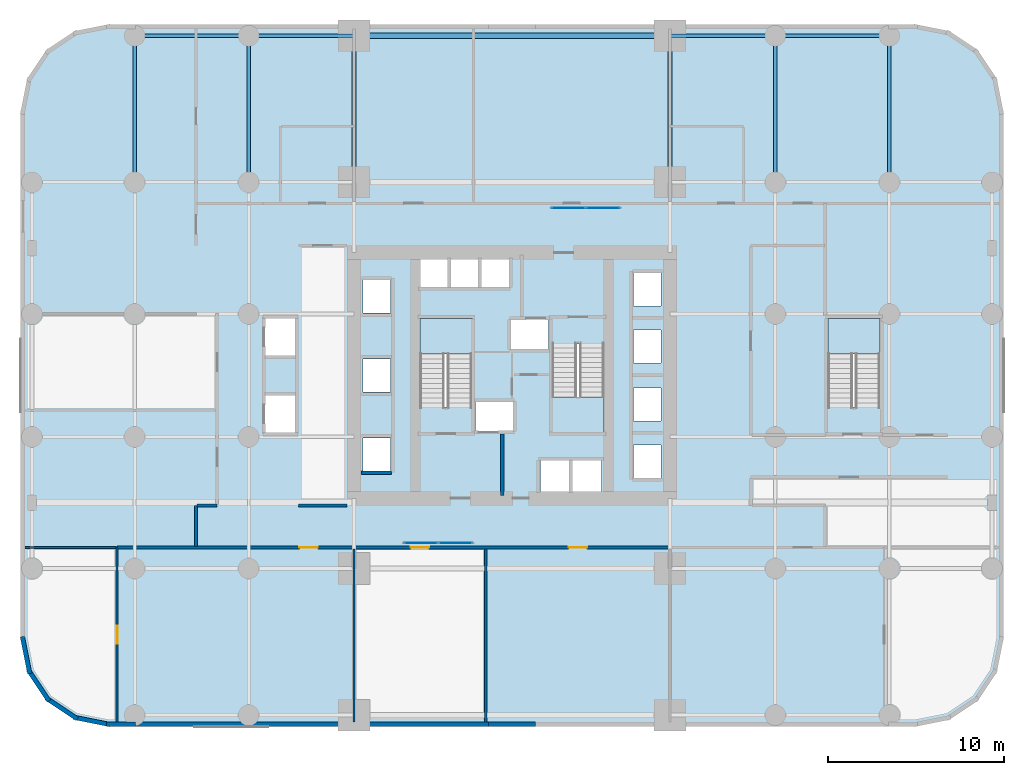
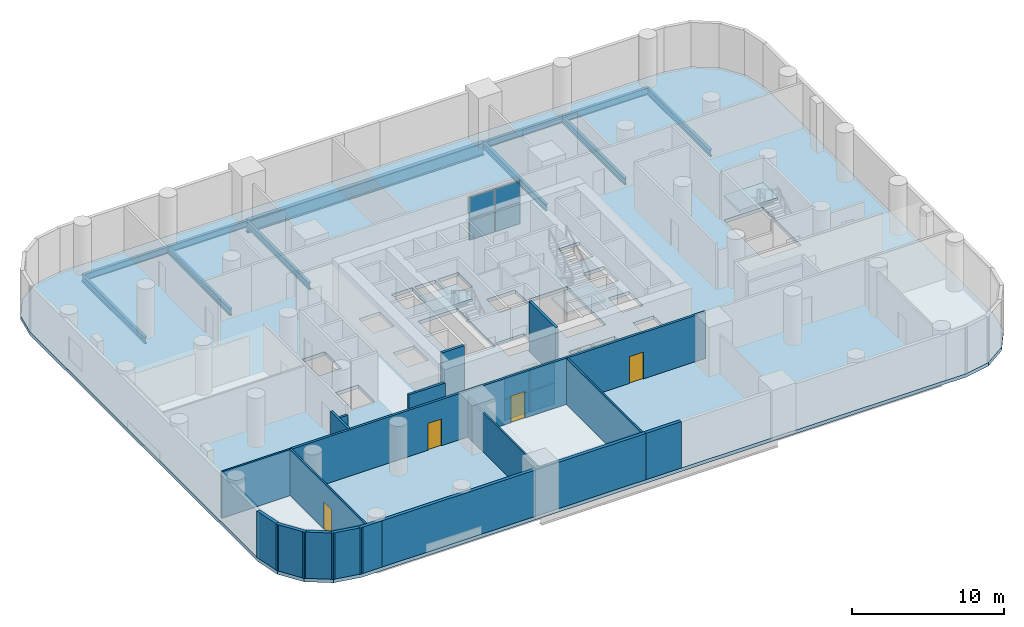
# One storey, part 6 of 12: 17 walls, 11 beams, 8 plates, 4 doors, 4 slabs, 4 openings, 5 elements without a shape of their own.
"""IFC4 building model written with IfcOpenShell, lengths in metres."""

from ifc_helpers import new_model, si_unit, direction, frame, frame_2d, origin, origin_2d, place, context, subcontext, project, spatial, polyline, rectangle, i_section, outline, extrude, material, layer, layer_set, material_profile, profile_set, type_object, element, fill, aggregate, save


model = new_model("IFC4")

# Units and contexts
model_context = context("Model", 3, precision=1e-05, world=origin(), true_north=direction((0.0, 1.0)))
body_context = subcontext(model_context, "Body", "Model", "MODEL_VIEW")
ifc_project = project(units=[si_unit("LENGTHUNIT", "METRE"), si_unit("AREAUNIT", "SQUARE_METRE"), si_unit("VOLUMEUNIT", "CUBIC_METRE"), si_unit("PLANEANGLEUNIT", "RADIAN"), si_unit("MASSUNIT", "GRAM", prefix="KILO")], contexts=[model_context])

# Site, building, storey
site_placement = place(None, origin())
site = spatial("IfcSite", under=ifc_project, at=site_placement, CompositionType="ELEMENT")
building_placement = place(site_placement, origin())
building = spatial("IfcBuilding", under=site, at=building_placement, Name="Veldorim Arch Residences", CompositionType="ELEMENT")
storey_placement = place(building_placement, frame((0.0, 0.0, 12.0)))
storey = spatial("IfcBuildingStorey", under=building, at=storey_placement, Name="L03", CompositionType="ELEMENT", Elevation=12.0)

# Beams
ifc_material_1 = material(Name="Steel S355", Category="steel")
ifc_material_profile_1 = material_profile(ifc_material_1, i_section(OverallWidth=0.2099609375, OverallDepth=0.53662109375, WebThickness=0.0107421875, FlangeThickness=0.017333984375, at=origin_2d()), Name="UB533x210x101")
ifc_profile_set_1 = profile_set([ifc_material_profile_1], Name="Steel S355")
beam_type_1 = type_object("IfcBeamType", Name="Structural Steel Beam UB533x210x101", PredefinedType="BEAM", material=ifc_profile_set_1)
for number, where, z_axis, x_axis, name in (
    (1, (10.5, 35.0, -0.54833984375), (0.0, 1.0, 0.0), (-1.0, 0.0, 0.0), "L03 north-south floor beam (X=10.5, 35.0-43.4)"),
    (2, (17.0, 35.0, -0.54833984375), (0.0, 1.0, 0.0), (-1.0, 0.0, 0.0), "L03 north-south floor beam (X=17.0, 35.0-43.4)"),
    (3, (23.0, 35.0, -0.54833984375), (0.0, 1.0, 0.0), (-1.0, 0.0, 0.0), "L03 north-south floor beam (X=23.0, 35.0-43.4)"),
    (4, (41.0, 35.0, -0.54833984375), (0.0, 1.0, 0.0), (-1.0, 0.0, 0.0), "L03 north-south floor beam (X=41.0, 35.0-43.4)"),
    (5, (47.0, 35.0, -0.54833984375), (0.0, 1.0, 0.0), (-1.0, 0.0, 0.0), "L03 north-south floor beam (X=47.0, 35.0-43.4)"),
    (6, (53.5, 35.0, -0.54833984375), (0.0, 1.0, 0.0), (-1.0, 0.0, 0.0), "L03 north-south floor beam (X=53.5, 35.0-43.4)"),
):
    element("IfcBeam", number, at=place(storey_placement, frame(where, z_axis=z_axis, x_axis=x_axis)), inside=storey, type_object=beam_type_1, Name=name, PredefinedType="BEAM", context=body_context, shape_type="SweptSolid", body=[
        extrude(i_section(OverallWidth=0.2099609375, OverallDepth=0.53662109375, WebThickness=0.0107421875, FlangeThickness=0.017333984375, at=origin_2d()), origin(), (0.0, 0.0, 1.0), 8.35009765625),
    ])
ifc_material_2 = material(Name="Steel S355", Category="steel")
ifc_material_profile_2 = material_profile(ifc_material_2, i_section(OverallWidth=0.2119140625, OverallDepth=0.54443359375, WebThickness=0.0126953125, FlangeThickness=0.021240234375, at=origin_2d()), Name="UB533x210x122")
ifc_profile_set_2 = profile_set([ifc_material_profile_2], Name="Steel S355")
beam_type_2 = type_object("IfcBeamType", Name="Structural Steel Beam UB533x210x122", PredefinedType="BEAM", material=ifc_profile_set_2)
beam_1_placement = place(storey_placement, frame((10.5, 43.35009765625, -0.55224609375), z_axis=(1.0, 0.0, 0.0), x_axis=(0.0, 1.0, 0.0)))
element("IfcBeam", 7, at=beam_1_placement, inside=storey, type_object=beam_type_2, Name="L03 east-west floor beam (10.5-17.0, Y=43.4)", PredefinedType="BEAM", context=body_context, shape_type="SweptSolid", body=[
    extrude(i_section(OverallWidth=0.2119140625, OverallDepth=0.54443359375, WebThickness=0.0126953125, FlangeThickness=0.021240234375, at=origin_2d()), origin(), (0.0, 0.0, 1.0), 6.5),
])
for number, where, z_axis, x_axis, name in (
    (8, (17.0, 43.35009765625, -0.55224609375), (1.0, 0.0, 0.0), (0.0, 1.0, 0.0), "L03 east-west floor beam (17.0-23.0, Y=43.4)"),
    (9, (41.0, 43.35009765625, -0.55224609375), (1.0, 0.0, 0.0), (0.0, 1.0, 0.0), "L03 east-west floor beam (41.0-47.0, Y=43.4)"),
):
    element("IfcBeam", number, at=place(storey_placement, frame(where, z_axis=z_axis, x_axis=x_axis)), inside=storey, type_object=beam_type_2, Name=name, PredefinedType="BEAM", context=body_context, shape_type="SweptSolid", body=[
        extrude(i_section(OverallWidth=0.2119140625, OverallDepth=0.54443359375, WebThickness=0.0126953125, FlangeThickness=0.021240234375, at=origin_2d()), origin(), (0.0, 0.0, 1.0), 6.0),
    ])
beam_2_placement = place(storey_placement, frame((47.0, 43.35009765625, -0.55224609375), z_axis=(1.0, 0.0, 0.0), x_axis=(0.0, 1.0, 0.0)))
element("IfcBeam", 10, at=beam_2_placement, inside=storey, type_object=beam_type_2, Name="L03 east-west floor beam (47.0-53.5, Y=43.4)", PredefinedType="BEAM", context=body_context, shape_type="SweptSolid", body=[
    extrude(i_section(OverallWidth=0.2119140625, OverallDepth=0.54443359375, WebThickness=0.0126953125, FlangeThickness=0.021240234375, at=origin_2d()), origin(), (0.0, 0.0, 1.0), 6.5),
])
ifc_material_3 = material(Name="Steel S460", Category="steel")
ifc_material_profile_3 = material_profile(ifc_material_3, i_section(OverallWidth=0.305419921875, OverallDepth=1.02587890625, WebThickness=0.02685546875, FlangeThickness=0.053955078125, at=origin_2d()), Name="UB1016x305x437")
ifc_profile_set_3 = profile_set([ifc_material_profile_3], Name="Steel S460")
beam_type_3 = type_object("IfcBeamType", Name="Structural Steel GIRDER UB1016x305x437", PredefinedType="USERDEFINED", material=ifc_profile_set_3)
beam_3_placement = place(storey_placement, frame((23.0, 43.35009765625, -0.79296875), z_axis=(1.0, 0.0, 0.0), x_axis=(0.0, 1.0, 0.0)))
element("IfcBeam", 11, at=beam_3_placement, inside=storey, type_object=beam_type_3, Name="L03 east-west floor beam (23.0-41.0, Y=43.4)", ObjectType="GIRDER", PredefinedType="USERDEFINED", context=body_context, shape_type="SweptSolid", body=[
    extrude(i_section(OverallWidth=0.305419921875, OverallDepth=1.02587890625, WebThickness=0.02685546875, FlangeThickness=0.053955078125, at=origin_2d()), origin(), (0.0, 0.0, 1.0), 18.0),
])

# Curtain wall, plates
ifc_material_4 = material(Name="Aluminium", Category="aluminium")
curtain_wall_type = type_object("IfcCurtainWallType", Name="Crown Faceted Fritted Laminated Curtain Wall", PredefinedType="NOTDEFINED", material=ifc_material_4)
curtain_wall_1_placement = place(storey_placement, origin())
curtain_wall_1 = element("IfcCurtainWall", 12, at=curtain_wall_1_placement, inside=storey, type_object=curtain_wall_type, Name="L03 S arch bridge clerestory curtain wall", PredefinedType="NOTDEFINED")
ifc_material_5 = material(Name="Laminated Low-E Glass", Category="glass")
ifc_layer_1 = layer(ifc_material_5, 0.030029296875, Name="Crown Faceted Fritted Laminated Curtain Wall Glazing Panel 30")
ifc_layer_set_1 = layer_set([ifc_layer_1], Name="Laminated Low-E Glass")
plate_type = type_object("IfcPlateType", Name="Crown Faceted Fritted Laminated Curtain Wall Glazing Panel 30", PredefinedType="CURTAIN_PANEL", material=ifc_layer_set_1)
plate_1_placement = place(storey_placement, frame((26.8173828125, 14.449951171875, 0.070068359375), z_axis=(0.0, 0.0, 1.0), x_axis=(1.0, 0.0, 0.0)))
plate_1 = element("IfcPlate", 13, at=plate_1_placement, type_object=plate_type, Name="CW-CRN panel 1.1", PredefinedType="CURTAIN_PANEL", context=body_context, shape_type="SweptSolid", body=[
    extrude(rectangle(XDim=1.89501953125, YDim=0.030029296875, at=origin_2d()), origin(), (0.0, 0.0, 1.0), 1.68505859375),
])
plate_2_placement = place(storey_placement, frame((26.8173828125, 14.449951171875, 1.824951171875), z_axis=(0.0, 0.0, 1.0), x_axis=(1.0, 0.0, 0.0)))
plate_2 = element("IfcPlate", 14, at=plate_2_placement, type_object=plate_type, Name="CW-CRN panel 1.2", PredefinedType="CURTAIN_PANEL", context=body_context, shape_type="SweptSolid", body=[
    extrude(rectangle(XDim=1.89501953125, YDim=0.030029296875, at=origin_2d()), origin(), (0.0, 0.0, 1.0), 1.68505859375),
])
plate_3_placement = place(storey_placement, frame((28.782470703125, 14.449951171875, 0.070068359375), z_axis=(0.0, 0.0, 1.0), x_axis=(1.0, 0.0, 0.0)))
plate_3 = element("IfcPlate", 15, at=plate_3_placement, type_object=plate_type, Name="CW-CRN panel 2.1", PredefinedType="CURTAIN_PANEL", context=body_context, shape_type="SweptSolid", body=[
    extrude(rectangle(XDim=1.89501953125, YDim=0.030029296875, at=origin_2d()), origin(), (0.0, 0.0, 1.0), 1.68505859375),
])
plate_4_placement = place(storey_placement, frame((28.782470703125, 14.449951171875, 1.824951171875), z_axis=(0.0, 0.0, 1.0), x_axis=(1.0, 0.0, 0.0)))
plate_4 = element("IfcPlate", 16, at=plate_4_placement, type_object=plate_type, Name="CW-CRN panel 2.2", PredefinedType="CURTAIN_PANEL", context=body_context, shape_type="SweptSolid", body=[
    extrude(rectangle(XDim=1.89501953125, YDim=0.030029296875, at=origin_2d()), origin(), (0.0, 0.0, 1.0), 1.68505859375),
])
aggregate(curtain_wall_1, [plate_1, plate_2, plate_3, plate_4])

curtain_wall_2_placement = place(storey_placement, origin())
curtain_wall_2 = element("IfcCurtainWall", 17, at=curtain_wall_2_placement, inside=storey, type_object=curtain_wall_type, Name="L03 N arch bridge clerestory curtain wall", PredefinedType="NOTDEFINED")
plate_5_placement = place(storey_placement, frame((35.217529296875, 33.550048828125, 0.070068359375), z_axis=(0.0, 0.0, 1.0), x_axis=(1.0, 0.0, 0.0)))
plate_5 = element("IfcPlate", 18, at=plate_5_placement, type_object=plate_type, Name="CW-CRN panel 1.1", PredefinedType="CURTAIN_PANEL", context=body_context, shape_type="SweptSolid", body=[
    extrude(rectangle(XDim=1.89501953125, YDim=0.030029296875, at=origin_2d()), origin(), (0.0, 0.0, 1.0), 1.68505859375),
])
plate_6_placement = place(storey_placement, frame((35.217529296875, 33.550048828125, 1.824951171875), z_axis=(0.0, 0.0, 1.0), x_axis=(1.0, 0.0, 0.0)))
plate_6 = element("IfcPlate", 19, at=plate_6_placement, type_object=plate_type, Name="CW-CRN panel 1.2", PredefinedType="CURTAIN_PANEL", context=body_context, shape_type="SweptSolid", body=[
    extrude(rectangle(XDim=1.89501953125, YDim=0.030029296875, at=origin_2d()), origin(), (0.0, 0.0, 1.0), 1.68505859375),
])
plate_7_placement = place(storey_placement, frame((37.1826171875, 33.550048828125, 0.070068359375), z_axis=(0.0, 0.0, 1.0), x_axis=(1.0, 0.0, 0.0)))
plate_7 = element("IfcPlate", 20, at=plate_7_placement, type_object=plate_type, Name="CW-CRN panel 2.1", PredefinedType="CURTAIN_PANEL", context=body_context, shape_type="SweptSolid", body=[
    extrude(rectangle(XDim=1.89501953125, YDim=0.030029296875, at=origin_2d()), origin(), (0.0, 0.0, 1.0), 1.68505859375),
])
plate_8_placement = place(storey_placement, frame((37.1826171875, 33.550048828125, 1.824951171875), z_axis=(0.0, 0.0, 1.0), x_axis=(1.0, 0.0, 0.0)))
plate_8 = element("IfcPlate", 21, at=plate_8_placement, type_object=plate_type, Name="CW-CRN panel 2.2", PredefinedType="CURTAIN_PANEL", context=body_context, shape_type="SweptSolid", body=[
    extrude(rectangle(XDim=1.89501953125, YDim=0.030029296875, at=origin_2d()), origin(), (0.0, 0.0, 1.0), 1.68505859375),
])
aggregate(curtain_wall_2, [plate_5, plate_6, plate_7, plate_8])

# Slab
ifc_material_6 = material(Name="Concrete C40/50", Category="concrete")
ifc_layer_2 = layer(ifc_material_6, 0.280029296875, Name="Podium Polyclinic Floor Slab 280")
ifc_layer_set_2 = layer_set([ifc_layer_2], Name="Concrete C40/50")
slab_type_1 = type_object("IfcSlabType", Name="Podium Polyclinic Floor Slab 280", PredefinedType="FLOOR", material=ifc_layer_set_2)
slab_1_placement = place(storey_placement, frame((0.0, 0.0, -0.280029296875)))
element("IfcSlab", 22, at=slab_1_placement, inside=storey, type_object=slab_type_1, Name="L03 outpatient polyclinic floor slab", PredefinedType="FLOOR", context=body_context, shape_type="SweptSolid", body=[
    extrude(outline(polyline([(55.0, 4.0), (56.913330078125, 4.380615234375), (58.535400390625, 5.464599609375), (59.619384765625, 7.086669921875), (60.0, 9.0), (60.0, 39.0), (59.619384765625, 40.913330078125), (58.535400390625, 42.535400390625), (56.913330078125, 43.619384765625), (55.0, 44.0), (9.0, 44.0), (7.086669921875, 43.619384765625), (5.464599609375, 42.535400390625), (4.380615234375, 40.913330078125), (4.0, 39.0), (4.0, 9.0), (4.380615234375, 7.086669921875), (5.464599609375, 5.464599609375), (7.086669921875, 4.380615234375), (9.0, 4.0), (55.0, 4.0)]), holes=[polyline([(23.510009765625, 20.43994140625), (25.090087890625, 20.43994140625), (25.090087890625, 18.56005859375), (23.510009765625, 18.56005859375), (23.510009765625, 20.43994140625)]), polyline([(29.909912109375, 22.544921875), (32.090087890625, 22.544921875), (32.090087890625, 20.81494140625), (29.909912109375, 20.81494140625), (29.909912109375, 22.544921875)]), polyline([(17.93505859375, 22.889892578125), (19.6650390625, 22.889892578125), (19.6650390625, 20.7099609375), (17.93505859375, 20.7099609375), (17.93505859375, 22.889892578125)]), polyline([(23.510009765625, 24.93994140625), (25.090087890625, 24.93994140625), (25.090087890625, 23.06005859375), (23.510009765625, 23.06005859375), (23.510009765625, 24.93994140625)]), polyline([(26.75, 27.25), (29.7099609375, 27.25), (29.7099609375, 22.195068359375), (26.75, 22.195068359375), (26.75, 27.25)]), polyline([(17.93505859375, 27.2900390625), (19.6650390625, 27.2900390625), (19.6650390625, 25.110107421875), (17.93505859375, 25.110107421875), (17.93505859375, 27.2900390625)]), polyline([(23.510009765625, 29.43994140625), (25.090087890625, 29.43994140625), (25.090087890625, 27.56005859375), (23.510009765625, 27.56005859375), (23.510009765625, 29.43994140625)]), polyline([(28.340087890625, 30.7900390625), (28.340087890625, 28.909912109375), (26.760009765625, 28.909912109375), (26.760009765625, 30.7900390625), (28.340087890625, 30.7900390625)]), polyline([(30.090087890625, 30.7900390625), (30.090087890625, 28.909912109375), (28.510009765625, 28.909912109375), (28.510009765625, 30.7900390625), (30.090087890625, 30.7900390625)]), polyline([(30.260009765625, 30.7900390625), (31.840087890625, 30.7900390625), (31.840087890625, 28.909912109375), (30.260009765625, 28.909912109375), (30.260009765625, 30.7900390625)]), polyline([(33.610107421875, 19.2900390625), (35.2900390625, 19.2900390625), (35.2900390625, 17.2099609375), (33.610107421875, 17.2099609375), (33.610107421875, 19.2900390625)]), polyline([(35.409912109375, 19.2900390625), (37.090087890625, 19.2900390625), (37.090087890625, 17.2099609375), (35.409912109375, 17.2099609375), (35.409912109375, 19.2900390625)]), polyline([(40.489990234375, 20.0400390625), (40.489990234375, 18.159912109375), (38.909912109375, 18.159912109375), (38.909912109375, 20.0400390625), (40.489990234375, 20.0400390625)]), polyline([(40.489990234375, 23.2900390625), (40.489990234375, 21.409912109375), (38.909912109375, 21.409912109375), (38.909912109375, 23.2900390625), (40.489990234375, 23.2900390625)]), polyline([(34.2900390625, 25.804931640625), (37.25, 25.804931640625), (37.25, 20.75), (34.2900390625, 20.75), (34.2900390625, 25.804931640625)]), polyline([(50.0, 27.25), (52.9599609375, 27.25), (52.9599609375, 22.195068359375), (50.0, 22.195068359375), (50.0, 27.25)]), polyline([(38.909912109375, 26.590087890625), (40.489990234375, 26.590087890625), (40.489990234375, 24.7099609375), (38.909912109375, 24.7099609375), (38.909912109375, 26.590087890625)]), polyline([(34.090087890625, 27.18505859375), (34.090087890625, 25.455078125), (31.909912109375, 25.455078125), (31.909912109375, 27.18505859375), (34.090087890625, 27.18505859375)]), polyline([(40.489990234375, 29.840087890625), (40.489990234375, 27.9599609375), (38.909912109375, 27.9599609375), (38.909912109375, 29.840087890625), (40.489990234375, 29.840087890625)])]), origin(), (0.0, 0.0, 1.0), 0.280029296875),
])

# Stair, slab
ifc_material_7 = material(Name="Concrete C40/50", Category="concrete")
stair_type = type_object("IfcStairType", Name="Reinforced Concrete Dogleg Exit Staircase", PredefinedType="HALF_TURN_STAIR", material=ifc_material_7)
stair_1_placement = place(storey_placement, origin())
stair_1 = element("IfcStair", 23, at=stair_1_placement, inside=storey, type_object=stair_type, Name="L03 Exit Staircase ST-1", PredefinedType="HALF_TURN_STAIR")
ifc_material_8 = material(Name="Concrete C40/50", Category="concrete")
ifc_layer_3 = layer(ifc_material_8, 0.199951171875, Name="Reinforced Concrete Stair Landing 200")
ifc_layer_set_3 = layer_set([ifc_layer_3], Name="Concrete C40/50")
slab_type_2 = type_object("IfcSlabType", Name="Reinforced Concrete Stair Landing 200", PredefinedType="LANDING", material=ifc_layer_set_3)
slab_2_placement = place(storey_placement, frame((0.0, 0.0, 1.800048828125)))
slab_2 = element("IfcSlab", 24, at=slab_2_placement, type_object=slab_type_2, Name="ST-1 landing 1", PredefinedType="LANDING", context=body_context, shape_type="SweptSolid", body=[
    extrude(outline(polyline([(29.7099609375, 25.22998046875), (29.7099609375, 27.25), (26.75, 27.25), (26.75, 25.22998046875), (29.7099609375, 25.22998046875)])), origin(), (0.0, 0.0, 1.0), 0.199951171875),
])
aggregate(stair_1, [slab_2])

stair_2_placement = place(storey_placement, origin())
stair_2 = element("IfcStair", 25, at=stair_2_placement, inside=storey, type_object=stair_type, Name="L03 Exit Staircase ST-2", PredefinedType="HALF_TURN_STAIR")
slab_3_placement = place(storey_placement, frame((0.0, 0.0, 1.800048828125)))
slab_3 = element("IfcSlab", 26, at=slab_3_placement, type_object=slab_type_2, Name="ST-2 landing 1", PredefinedType="LANDING", context=body_context, shape_type="SweptSolid", body=[
    extrude(outline(polyline([(34.2900390625, 22.77001953125), (34.2900390625, 20.75), (37.25, 20.75), (37.25, 22.77001953125), (34.2900390625, 22.77001953125)])), origin(), (0.0, 0.0, 1.0), 0.199951171875),
])
aggregate(stair_2, [slab_3])

stair_3_placement = place(storey_placement, origin())
stair_3 = element("IfcStair", 27, at=stair_3_placement, inside=storey, type_object=stair_type, Name="L03 Exit Staircase ST-3", PredefinedType="HALF_TURN_STAIR")
slab_4_placement = place(storey_placement, frame((0.0, 0.0, 1.800048828125)))
slab_4 = element("IfcSlab", 28, at=slab_4_placement, type_object=slab_type_2, Name="ST-3 landing 1", PredefinedType="LANDING", context=body_context, shape_type="SweptSolid", body=[
    extrude(outline(polyline([(52.9599609375, 25.22998046875), (52.9599609375, 27.25), (50.0, 27.25), (50.0, 25.22998046875), (52.9599609375, 25.22998046875)])), origin(), (0.0, 0.0, 1.0), 0.199951171875),
])
aggregate(stair_3, [slab_4])

# Wall, opening, door
ifc_material_9 = material(Name="Acoustic Gypsum Board", Category="gypsum")
ifc_layer_4 = layer(ifc_material_9, 0.125, Name="Acoustic Stud Room Partition Wall 125")
ifc_layer_set_4 = layer_set([ifc_layer_4], Name="Acoustic Gypsum Board")
wall_type_1 = type_object("IfcWallType", Name="Acoustic Stud Room Partition Wall 125", PredefinedType="PARTITIONING", material=ifc_layer_set_4)
wall_1_placement = place(storey_placement, frame((9.5, 14.199951171875, 0.0), z_axis=(0.0, 0.0, 1.0), x_axis=(0.0, -1.0, 0.0)))
wall_1 = element("IfcWall", 29, at=wall_1_placement, inside=storey, type_object=wall_type_1, Name="L03 interior wall WL-POD-L03-021", PredefinedType="PARTITIONING", context=body_context, shape_type="SweptSolid", body=[
    extrude(rectangle(XDim=9.949951171875, YDim=0.125, at=frame_2d((4.97509765625, 0.0))), origin(), (0.0, 0.0, 1.0), 3.715087890625),
])
opening_1_placement = place(wall_1_placement, frame((4.449951171875, 0.0, 0.0)))
opening_1 = element("IfcOpeningElement", 30, at=opening_1_placement, cuts=wall_1, Name="Opening DR-CLN", PredefinedType="OPENING", context=body_context, shape_type="SweptSolid", body=[
    extrude(rectangle(XDim=1.050048828125, YDim=2.14990234375, at=frame_2d((0.52490234375, 1.074951171875))), frame((0.0, 0.072509765625, 0.0), z_axis=(0.0, -1.0, 0.0), x_axis=(1.0, 0.0, 0.0)), (0.0, 0.0, 1.0), 0.14501953125),
])
ifc_material_10 = material(Name="Timber & Vision Panel", Category="wood")
door_type = type_object("IfcDoorType", Name="Polyclinic Wheelchair-Accessible Consultation Door 1050x2150", OperationType="SINGLE_SWING_LEFT", PredefinedType="DOOR", material=ifc_material_10)
door_1_placement = place(opening_1_placement, origin())
door_1 = element("IfcDoor", 31, at=door_1_placement, inside=storey, type_object=door_type, Name="L03 interior door DR-POD-L03-001", OperationType="SINGLE_SWING_LEFT", OverallHeight=2.14990234375, OverallWidth=1.050048828125, PredefinedType="DOOR", context=body_context, shape_type="SweptSolid", body=[
    extrude(rectangle(XDim=1.050048828125, YDim=2.14990234375, at=frame_2d((0.52490234375, 1.074951171875))), frame((0.0, 0.02490234375, 0.0), z_axis=(0.0, -1.0, 0.0), x_axis=(1.0, 0.0, 0.0)), (0.0, 0.0, 1.0), 0.050048828125),
])
fill(opening_1, door_1)

# Walls
wall_2_placement = place(storey_placement, frame((4.25, 14.199951171875, 0.0), z_axis=(0.0, 0.0, 1.0), x_axis=(1.0, 0.0, 0.0)))
element("IfcWall", 32, at=wall_2_placement, inside=storey, type_object=wall_type_1, Name="L03 interior wall WL-POD-L03-022", PredefinedType="PARTITIONING", context=body_context, shape_type="SweptSolid", body=[
    extrude(rectangle(XDim=5.18994140625, YDim=0.125, at=frame_2d((2.594970703125, 0.0))), origin(), (0.0, 0.0, 1.0), 3.715087890625),
])
wall_3_placement = place(storey_placement, frame((23.0, 14.10009765625, 0.0), z_axis=(0.0, 0.0, 1.0), x_axis=(0.0, -1.0, 0.0)))
element("IfcWall", 33, at=wall_3_placement, inside=storey, type_object=wall_type_1, Name="L03 interior wall WL-POD-L03-023", PredefinedType="PARTITIONING", context=body_context, shape_type="SweptSolid", body=[
    extrude(rectangle(XDim=9.85009765625, YDim=0.125, at=frame_2d((4.925048828125, 0.0))), origin(), (0.0, 0.0, 1.0), 3.17138671875),
])
wall_4_placement = place(storey_placement, frame((30.5, 14.10009765625, 0.0), z_axis=(0.0, 0.0, 1.0), x_axis=(0.0, -1.0, 0.0)))
element("IfcWall", 34, at=wall_4_placement, inside=storey, type_object=wall_type_1, Name="L03 interior wall WL-POD-L03-034", PredefinedType="PARTITIONING", context=body_context, shape_type="SweptSolid", body=[
    extrude(rectangle(XDim=9.85009765625, YDim=0.125, at=frame_2d((4.925048828125, 0.0))), origin(), (0.0, 0.0, 1.0), 3.715087890625),
])

# Wall, openings, doors
ifc_material_11 = material(Name="Lightweight Masonry Block & Gypsum", Category="masonry")
ifc_layer_5 = layer(ifc_material_11, 0.179931640625, Name="Compartment & Corridor Fire-Rated Party Wall 180")
ifc_layer_set_5 = layer_set([ifc_layer_5], Name="Lightweight Masonry Block & Gypsum")
wall_type_2 = type_object("IfcWallType", Name="Compartment & Corridor Fire-Rated Party Wall 180", PredefinedType="PARTITIONING", material=ifc_layer_set_5)
wall_5_placement = place(storey_placement, frame((41.02001953125, 14.199951171875, 0.0), z_axis=(0.0, 0.0, 1.0), x_axis=(-1.0, 0.0, 0.0)))
wall_5 = element("IfcWall", 35, at=wall_5_placement, inside=storey, type_object=wall_type_2, Name="L03 interior wall WL-POD-L03-001", PredefinedType="PARTITIONING", context=body_context, shape_type="SweptSolid", body=[
    extrude(rectangle(XDim=31.52001953125, YDim=0.179931640625, at=frame_2d((15.760009765625, 0.0))), origin(), (0.0, 0.0, 1.0), 3.715087890625),
])
opening_2_placement = place(wall_5_placement, frame((20.0849609375, 0.0, 0.0)))
opening_2 = element("IfcOpeningElement", 36, at=opening_2_placement, cuts=wall_5, Name="Opening DR-CLN", PredefinedType="OPENING", context=body_context, shape_type="SweptSolid", body=[
    extrude(rectangle(XDim=1.050048828125, YDim=2.14990234375, at=frame_2d((0.52490234375, 1.074951171875))), frame((0.0, 0.099853515625, 0.0), z_axis=(0.0, -1.0, 0.0), x_axis=(1.0, 0.0, 0.0)), (0.0, 0.0, 1.0), 0.199951171875),
])
opening_3_placement = place(wall_5_placement, frame((13.7451171875, 0.0, 0.0)))
opening_3 = element("IfcOpeningElement", 37, at=opening_3_placement, cuts=wall_5, Name="Opening DR-CLN", PredefinedType="OPENING", context=body_context, shape_type="SweptSolid", body=[
    extrude(rectangle(XDim=1.050048828125, YDim=2.14990234375, at=frame_2d((0.52490234375, 1.074951171875))), frame((0.0, 0.099853515625, 0.0), z_axis=(0.0, -1.0, 0.0), x_axis=(1.0, 0.0, 0.0)), (0.0, 0.0, 1.0), 0.199951171875),
])
opening_4_placement = place(wall_5_placement, frame((4.7451171875, 0.0, 0.0)))
opening_4 = element("IfcOpeningElement", 38, at=opening_4_placement, cuts=wall_5, Name="Opening DR-CLN", PredefinedType="OPENING", context=body_context, shape_type="SweptSolid", body=[
    extrude(rectangle(XDim=1.050048828125, YDim=2.14990234375, at=frame_2d((0.52490234375, 1.074951171875))), frame((0.0, 0.099853515625, 0.0), z_axis=(0.0, -1.0, 0.0), x_axis=(1.0, 0.0, 0.0)), (0.0, 0.0, 1.0), 0.199951171875),
])
door_2_placement = place(opening_2_placement, origin())
door_2 = element("IfcDoor", 39, at=door_2_placement, inside=storey, type_object=door_type, Name="L03 interior door DR-POD-L03-002", OperationType="SINGLE_SWING_RIGHT", OverallHeight=2.14990234375, OverallWidth=1.050048828125, PredefinedType="DOOR", context=body_context, shape_type="SweptSolid", body=[
    extrude(rectangle(XDim=1.050048828125, YDim=2.14990234375, at=frame_2d((0.52490234375, 1.074951171875))), frame((0.0, 0.02490234375, 0.0), z_axis=(0.0, -1.0, 0.0), x_axis=(1.0, 0.0, 0.0)), (0.0, 0.0, 1.0), 0.050048828125),
])
fill(opening_2, door_2)
door_3_placement = place(opening_3_placement, origin())
door_3 = element("IfcDoor", 40, at=door_3_placement, inside=storey, type_object=door_type, Name="L03 interior door DR-POD-L03-016", OperationType="SINGLE_SWING_RIGHT", OverallHeight=2.14990234375, OverallWidth=1.050048828125, PredefinedType="DOOR", context=body_context, shape_type="SweptSolid", body=[
    extrude(rectangle(XDim=1.050048828125, YDim=2.14990234375, at=frame_2d((0.52490234375, 1.074951171875))), frame((0.0, 0.02490234375, 0.0), z_axis=(0.0, -1.0, 0.0), x_axis=(1.0, 0.0, 0.0)), (0.0, 0.0, 1.0), 0.050048828125),
])
fill(opening_3, door_3)
door_4_placement = place(opening_4_placement, origin())
door_4 = element("IfcDoor", 41, at=door_4_placement, inside=storey, type_object=door_type, Name="L03 interior door DR-POD-L03-017", OperationType="SINGLE_SWING_LEFT", OverallHeight=2.14990234375, OverallWidth=1.050048828125, PredefinedType="DOOR", context=body_context, shape_type="SweptSolid", body=[
    extrude(rectangle(XDim=1.050048828125, YDim=2.14990234375, at=frame_2d((0.52490234375, 1.074951171875))), frame((0.0, 0.02490234375, 0.0), z_axis=(0.0, -1.0, 0.0), x_axis=(1.0, 0.0, 0.0)), (0.0, 0.0, 1.0), 0.050048828125),
])
fill(opening_4, door_4)

# Walls
wall_6_placement = place(storey_placement, frame((14.0, 14.260009765625, 0.0), z_axis=(0.0, 0.0, 1.0), x_axis=(0.0, 1.0, 0.0)))
element("IfcWall", 42, at=wall_6_placement, inside=storey, type_object=wall_type_2, Name="L03 interior wall WL-POD-L03-002", PredefinedType="PARTITIONING", context=body_context, shape_type="SweptSolid", body=[
    extrude(rectangle(XDim=2.340087890625, YDim=0.179931640625, at=frame_2d((1.169921875, 0.0))), origin(), (0.0, 0.0, 1.0), 3.715087890625),
])
wall_7_placement = place(storey_placement, frame((14.06005859375, 16.60009765625, 0.0), z_axis=(0.0, 0.0, 1.0), x_axis=(1.0, 0.0, 0.0)))
element("IfcWall", 43, at=wall_7_placement, inside=storey, type_object=wall_type_2, Name="L03 interior wall WL-POD-L03-003", PredefinedType="PARTITIONING", context=body_context, shape_type="SweptSolid", body=[
    extrude(rectangle(XDim=1.139892578125, YDim=0.179931640625, at=frame_2d((0.56982421875, 0.0))), origin(), (0.0, 0.0, 1.0), 3.008056640625),
])
wall_8_placement = place(storey_placement, frame((19.830078125, 16.60009765625, 0.0), z_axis=(0.0, 0.0, 1.0), x_axis=(1.0, 0.0, 0.0)))
element("IfcWall", 44, at=wall_8_placement, inside=storey, type_object=wall_type_2, Name="L03 interior wall WL-POD-L03-009", PredefinedType="PARTITIONING", context=body_context, shape_type="SweptSolid", body=[
    extrude(rectangle(XDim=2.77001953125, YDim=0.179931640625, at=frame_2d((1.385009765625, 0.0))), origin(), (0.0, 0.0, 1.0), 3.008056640625),
])
ifc_material_12 = material(Name="Concrete C50/60", Category="concrete")
ifc_layer_6 = layer(ifc_material_12, 0.199951171875, Name="Core Stair & Lift Shaft Enclosure Wall 200")
ifc_layer_set_6 = layer_set([ifc_layer_6], Name="Concrete C50/60")
wall_type_3 = type_object("IfcWallType", Name="Core Stair & Lift Shaft Enclosure Wall 200", PredefinedType="SHEAR", material=ifc_layer_set_6)
wall_9_placement = place(storey_placement, frame((31.449951171875, 17.14990234375, 0.0), z_axis=(0.0, 0.0, 1.0), x_axis=(0.0, 1.0, 0.0)))
element("IfcWall", 45, at=wall_9_placement, inside=storey, type_object=wall_type_3, Name="L03 shaft wall WL-FFL1-L03-E", PredefinedType="SHEAR", context=body_context, shape_type="SweptSolid", body=[
    extrude(rectangle(XDim=3.5, YDim=0.199951171875, at=frame_2d((1.75, 0.0))), origin(), (0.0, 0.0, 1.0), 4.0),
])
wall_10_placement = place(storey_placement, frame((23.419921875, 18.4599609375, 0.0), z_axis=(0.0, 0.0, 1.0), x_axis=(1.0, 0.0, 0.0)))
element("IfcWall", 46, at=wall_10_placement, inside=storey, type_object=wall_type_3, Name="L03 shaft wall WL-B2-L03-S", PredefinedType="SHEAR", context=body_context, shape_type="SweptSolid", body=[
    extrude(rectangle(XDim=1.7099609375, YDim=0.199951171875, at=frame_2d((0.85498046875, 0.0))), origin(), (0.0, 0.0, 1.0), 4.0),
])
ifc_material_13 = material(Name="Precast concrete C40/50", Category="concrete")
ifc_layer_7 = layer(ifc_material_13, 0.25, Name="Podium Terracotta Insulated Facade Wall 250")
ifc_layer_set_7 = layer_set([ifc_layer_7], Name="Precast concrete C40/50")
wall_type_4 = type_object("IfcWallType", Name="Podium Terracotta Insulated Facade Wall 250", PredefinedType="SOLIDWALL", material=ifc_layer_set_7)
wall_11_placement = place(storey_placement, frame((4.522705078125, 7.012939453125, 0.0), z_axis=(0.0, 0.0, 1.0), x_axis=(-0.195111965738, 0.980780974951, 0.0)))
element("IfcWall", 47, at=wall_11_placement, inside=storey, type_object=wall_type_4, Name="L03 podium terracotta facade wall 15", PredefinedType="SOLIDWALL", context=body_context, shape_type="SweptSolid", body=[
    extrude(rectangle(XDim=2.15087890625, YDim=0.25, at=frame_2d((1.075439453125, 0.0))), origin(), (0.0, 0.0, 1.0), 3.719970703125),
])
for number, where, z_axis, x_axis, name in (
    (48, (5.6240234375, 5.45068359375, 0.0), (0.0, 0.0, 1.0), (-0.555564214653, 0.831473633615, 0.0), "L03 podium terracotta facade wall 16"),
    (49, (7.2392578125, 4.428955078125, 0.0), (0.0, 0.0, 1.0), (-0.831473633615, 0.555564214653, 0.0), "L03 podium terracotta facade wall 17"),
):
    element("IfcWall", number, at=place(storey_placement, frame(where, z_axis=z_axis, x_axis=x_axis)), inside=storey, type_object=wall_type_4, Name=name, PredefinedType="SOLIDWALL", context=body_context, shape_type="SweptSolid", body=[
        extrude(rectangle(XDim=2.151123046875, YDim=0.25, at=frame_2d((1.07568359375, 0.0))), origin(), (0.0, 0.0, 1.0), 3.719970703125),
    ])
wall_12_placement = place(storey_placement, frame((9.12255859375, 4.10302734375, 0.0), z_axis=(0.0, 0.0, 1.0), x_axis=(-0.980780974951, 0.195111965738, 0.0)))
element("IfcWall", 50, at=wall_12_placement, inside=storey, type_object=wall_type_4, Name="L03 podium terracotta facade wall 18", PredefinedType="SOLIDWALL", context=body_context, shape_type="SweptSolid", body=[
    extrude(rectangle(XDim=2.15087890625, YDim=0.25, at=frame_2d((1.075439453125, 0.0))), origin(), (0.0, 0.0, 1.0), 3.719970703125),
])
wall_13_placement = place(storey_placement, frame((33.35009765625, 4.125, 0.0), z_axis=(0.0, 0.0, 1.0), x_axis=(-1.0, 0.0, 0.0)))
element("IfcWall", 51, at=wall_13_placement, inside=storey, type_object=wall_type_4, Name="L03 podium facade pier wall 19M", PredefinedType="SOLIDWALL", context=body_context, shape_type="SweptSolid", body=[
    extrude(rectangle(XDim=2.7001953125, YDim=0.25, at=frame_2d((1.35009765625, 0.0))), origin(), (0.0, 0.0, 1.0), 3.719970703125),
])
wall_14_placement = place(storey_placement, frame((10.550048828125, 4.125, 0.0), z_axis=(0.0, 0.0, 1.0), x_axis=(-1.0, 0.0, 0.0)))
element("IfcWall", 52, at=wall_14_placement, inside=storey, type_object=wall_type_4, Name="L03 podium facade pier wall 19B", PredefinedType="SOLIDWALL", context=body_context, shape_type="SweptSolid", body=[
    extrude(rectangle(XDim=1.650146484375, YDim=0.25, at=frame_2d((0.8251953125, 0.0))), origin(), (0.0, 0.0, 1.0), 3.719970703125),
])
wall_15_placement = place(storey_placement, frame((30.64990234375, 4.125, 0.0), z_axis=(0.0, 0.0, 1.0), x_axis=(-1.0, 0.0, 0.0)))
element("IfcWall", 53, at=wall_15_placement, inside=storey, type_object=wall_type_4, Name="L03 podium facade wall 19C2", PredefinedType="SOLIDWALL", context=body_context, shape_type="SweptSolid", body=[
    extrude(rectangle(XDim=20.099853515625, YDim=0.25, at=frame_2d((10.0498046875, 0.0))), origin(), (0.0, 0.0, 1.0), 3.719970703125),
])

save(model, "model.ifc")
